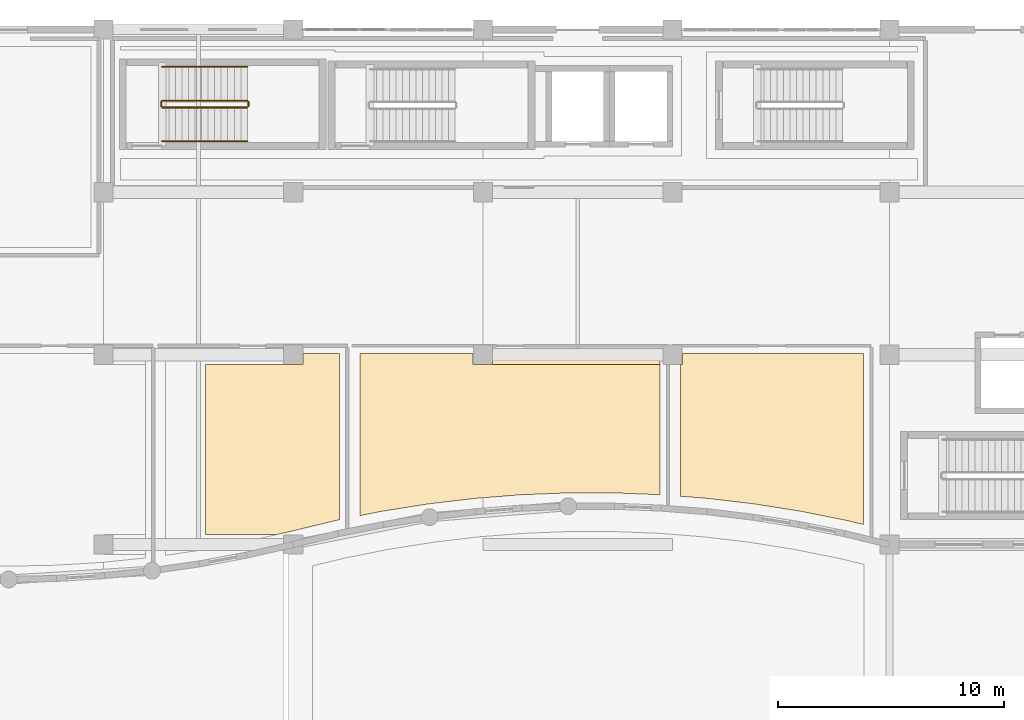
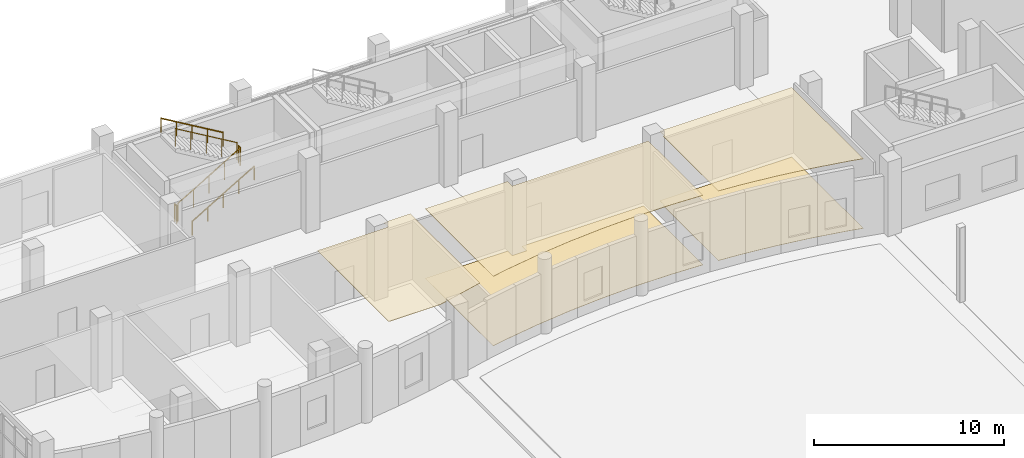
# One storey, part 89 of 97: 6 railings, 5 coverings.
"""IFC4 building model written with IfcOpenShell, lengths in metres."""

from ifc_helpers import new_model, si_unit, direction, frame, origin, origin_2d, place, context, subcontext, project, spatial, polyline, circle, outline, extrude, material, layer, layer_set, type_object, element, save


model = new_model("IFC4")

# Units and contexts
model_context = context("Model", 3, precision=1e-05, world=origin(), true_north=direction((0.0, 1.0)))
body_context = subcontext(model_context, "Body", "Model", "MODEL_VIEW")
ifc_project = project(units=[si_unit("LENGTHUNIT", "METRE"), si_unit("AREAUNIT", "SQUARE_METRE"), si_unit("VOLUMEUNIT", "CUBIC_METRE"), si_unit("PLANEANGLEUNIT", "RADIAN"), si_unit("MASSUNIT", "GRAM", prefix="KILO")], contexts=[model_context])

# Site, building, storey
site_placement = place(None, origin())
site = spatial("IfcSite", under=ifc_project, at=site_placement, CompositionType="ELEMENT")
building_placement = place(site_placement, origin())
building = spatial("IfcBuilding", under=site, at=building_placement, Name="Kisaragi Civic Commons", CompositionType="ELEMENT")
storey_placement = place(building_placement, origin())
storey = spatial("IfcBuildingStorey", under=building, at=storey_placement, Name="L00", CompositionType="ELEMENT", Elevation=0.0)

# Coverings
ifc_material_1 = material(Name="Perforated mineral-fibre & hinoki slat acoustic ceiling")
ifc_layer_1 = layer(ifc_material_1, 0.02490234375, Name="Perforated mineral-fibre & hinoki slat acoustic ceiling")
ifc_layer_set_1 = layer_set([ifc_layer_1], Name="Perforated mineral-fibre & hinoki slat acoustic ceiling")
covering_type_1 = type_object("IfcCoveringType", Name="CLG-02", PredefinedType="CEILING", material=ifc_layer_set_1)
covering_1_placement = place(storey_placement, frame((0.0, 0.0, 4.469970703125)))
element("IfcCovering", 1, at=covering_1_placement, inside=storey, type_object=covering_type_1, Name="Preschool Classroom acoustic ceiling", PredefinedType="CEILING", context=body_context, shape_type="SweptSolid", body=[
    extrude(outline(polyline([(99.07666015625, 97.059814453125), (99.25, 97.094482421875), (99.25, 104.449951171875), (97.6298828125, 104.449951171875), (97.6298828125, 103.969970703125), (97.199951171875, 103.969970703125), (97.199951171875, 103.965087890625), (93.31005859375, 103.965087890625), (93.31005859375, 96.43505859375), (96.454345703125, 96.43505859375), (97.065185546875, 96.574462890625), (99.060791015625, 97.05615234375), (99.07666015625, 97.059814453125)])), origin(), (0.0, 0.0, 1.0), 0.025146484375),
])
covering_2_placement = place(storey_placement, frame((0.0, 0.0, 4.469970703125)))
element("IfcCovering", 2, at=covering_2_placement, inside=storey, type_object=covering_type_1, Name="Community Cafe acoustic ceiling", PredefinedType="CEILING", context=body_context, shape_type="SweptSolid", body=[
    extrude(outline(polyline([(111.4462890625, 98.28271484375), (113.449951171875, 98.20361328125), (113.449951171875, 103.965087890625), (105.60009765625, 103.965087890625), (105.60009765625, 103.969970703125), (105.169921875, 103.969970703125), (105.169921875, 104.449951171875), (100.14990234375, 104.449951171875), (100.14990234375, 97.2744140625), (101.0966796875, 97.4638671875), (101.11279296875, 97.466796875), (103.147216796875, 97.790771484375), (103.163330078125, 97.79296875), (105.208984375, 98.036376953125), (105.22509765625, 98.0380859375), (107.27880859375, 98.200439453125), (107.295166015625, 98.201416015625), (109.353515625, 98.28271484375), (109.369873046875, 98.283203125), (111.43017578125, 98.283203125), (111.4462890625, 98.28271484375)])), origin(), (0.0, 0.0, 1.0), 0.025146484375),
])
covering_3_placement = place(storey_placement, frame((0.0, 0.0, 4.469970703125)))
element("IfcCovering", 3, at=covering_3_placement, inside=storey, type_object=covering_type_1, Name="Community Shop acoustic ceiling", PredefinedType="CEILING", context=body_context, shape_type="SweptSolid", body=[
    extrude(outline(polyline([(121.7392578125, 97.05615234375), (122.449951171875, 96.884521484375), (122.449951171875, 104.449951171875), (114.429931640625, 104.449951171875), (114.429931640625, 103.969970703125), (114.35009765625, 103.969970703125), (114.35009765625, 98.135009765625), (115.57470703125, 98.0380859375), (115.591064453125, 98.036376953125), (117.63671875, 97.79296875), (117.65283203125, 97.790771484375), (119.687255859375, 97.466796875), (119.703369140625, 97.4638671875), (121.723388671875, 97.059814453125), (121.7392578125, 97.05615234375)])), origin(), (0.0, 0.0, 1.0), 0.025146484375),
])
ifc_material_2 = material(Name="Honed Mino ceramic tile & resilience acoustic flooring")
ifc_layer_2 = layer(ifc_material_2, 0.02001953125, Name="Honed Mino ceramic tile & resilience acoustic flooring")
ifc_layer_set_2 = layer_set([ifc_layer_2], Name="Honed Mino ceramic tile & resilience acoustic flooring")
covering_type_2 = type_object("IfcCoveringType", Name="FLR-01", PredefinedType="FLOORING", material=ifc_layer_set_2)
covering_4_placement = place(storey_placement, origin())
element("IfcCovering", 4, at=covering_4_placement, inside=storey, type_object=covering_type_2, Name="Community Cafe floor finish", PredefinedType="FLOORING", context=body_context, shape_type="SweptSolid", body=[
    extrude(outline(polyline([(113.449951171875, 98.20361328125), (113.449951171875, 104.449951171875), (106.030029296875, 104.449951171875), (106.030029296875, 103.969970703125), (105.169921875, 103.969970703125), (105.169921875, 104.449951171875), (100.14990234375, 104.449951171875), (100.14990234375, 97.2744140625), (101.0966796875, 97.4638671875), (101.11279296875, 97.466796875), (103.147216796875, 97.790771484375), (103.163330078125, 97.79296875), (105.208984375, 98.036376953125), (105.22509765625, 98.0380859375), (107.27880859375, 98.200439453125), (107.295166015625, 98.201416015625), (109.353515625, 98.28271484375), (109.369873046875, 98.283203125), (111.43017578125, 98.283203125), (111.4462890625, 98.28271484375), (113.449951171875, 98.20361328125)])), origin(), (0.0, 0.0, 1.0), 0.02001953125),
])
ifc_layer_3 = layer(ifc_material_2, 0.01611328125, Name="Honed Mino ceramic tile & resilience acoustic flooring")
ifc_layer_set_3 = layer_set([ifc_layer_3], Name="Honed Mino ceramic tile & resilience acoustic flooring")
covering_type_3 = type_object("IfcCoveringType", Name="FLR-02", PredefinedType="FLOORING", material=ifc_layer_set_3)
covering_5_placement = place(storey_placement, origin())
element("IfcCovering", 5, at=covering_5_placement, inside=storey, type_object=covering_type_3, Name="Community Shop floor finish", PredefinedType="FLOORING", context=body_context, shape_type="SweptSolid", body=[
    extrude(outline(polyline([(122.449951171875, 96.884521484375), (122.449951171875, 104.449951171875), (114.429931640625, 104.449951171875), (114.429931640625, 103.969970703125), (114.35009765625, 103.969970703125), (114.35009765625, 98.135009765625), (115.57470703125, 98.0380859375), (115.591064453125, 98.036376953125), (117.63671875, 97.79296875), (117.65283203125, 97.790771484375), (119.687255859375, 97.466796875), (119.703369140625, 97.4638671875), (121.723388671875, 97.059814453125), (121.7392578125, 97.05615234375), (122.449951171875, 96.884521484375)])), origin(), (0.0, 0.0, 1.0), 0.01611328125),
])

# Railings
ifc_material_3 = material(Name="Powder-coated architectural steel and hinoki cap rail", Category="steel")
railing_type_1 = type_object("IfcRailingType", Name="GRD-S1", PredefinedType="GUARDRAIL", material=ifc_material_3)
railing_1_placement = place(storey_placement, frame((91.39990234375, 115.35009765625, 0.17138671875)))
element("IfcRailing", 6, at=railing_1_placement, inside=storey, type_object=railing_type_1, Name="L00 ST-L4 stair guard 1", PredefinedType="GUARDRAIL", context=body_context, shape_type="SweptSolid", body=[
    extrude(circle(Radius=0.02392578125, at=origin_2d()), frame((0.0, 0.0, 1.1259765625), z_axis=(0.860848830602, 0.0, 0.508860777473), x_axis=(0.0, 1.0, 0.0)), (0.0, 0.0, 1.0), 4.37939453125),
    extrude(circle(Radius=0.02099609375, at=origin_2d()), origin(), (0.0, 0.0, 1.0), 1.101806640625),
    extrude(circle(Radius=0.02099609375, at=origin_2d()), frame((0.9423828125, 0.0, 0.55712890625)), (0.0, 0.0, 1.0), 1.101806640625),
    extrude(circle(Radius=0.02099609375, at=origin_2d()), frame((1.885009765625, 0.0, 1.1142578125)), (0.0, 0.0, 1.0), 1.101806640625),
    extrude(circle(Radius=0.02099609375, at=origin_2d()), frame((2.82763671875, 0.0, 1.67138671875)), (0.0, 0.0, 1.0), 1.101806640625),
    extrude(circle(Radius=0.02099609375, at=origin_2d()), frame((3.77001953125, 0.0, 2.228515625)), (0.0, 0.0, 1.0), 1.101806640625),
])
railing_2_placement = place(storey_placement, frame((95.219970703125, 115.39990234375, 2.39990234375)))
element("IfcRailing", 7, at=railing_2_placement, inside=storey, type_object=railing_type_1, Name="L00 ST-L4 stair guard 2", PredefinedType="GUARDRAIL", context=body_context, shape_type="SweptSolid", body=[
    extrude(circle(Radius=0.02392578125, at=origin_2d()), frame((0.0, 0.0, 1.1259765625), z_axis=(0.0, 1.0, 0.0), x_axis=(-1.0, 0.0, 0.0)), (0.0, 0.0, 1.0), 0.2001953125),
    extrude(circle(Radius=0.02099609375, at=origin_2d()), origin(), (0.0, 0.0, 1.0), 1.101806640625),
    extrude(circle(Radius=0.02099609375, at=origin_2d()), frame((0.0, 0.2001953125, 0.0)), (0.0, 0.0, 1.0), 1.101806640625),
])
railing_3_placement = place(storey_placement, frame((95.169921875, 115.64990234375, 2.571533203125)))
element("IfcRailing", 8, at=railing_3_placement, inside=storey, type_object=railing_type_1, Name="L00 ST-L4 stair guard 3", PredefinedType="GUARDRAIL", context=body_context, shape_type="SweptSolid", body=[
    extrude(circle(Radius=0.02392578125, at=origin_2d()), frame((0.0, 0.0, 1.1259765625), z_axis=(-0.860848830602, 0.0, 0.508860777473), x_axis=(0.0, -1.0, 0.0)), (0.0, 0.0, 1.0), 4.37939453125),
    extrude(circle(Radius=0.02099609375, at=origin_2d()), origin(), (0.0, 0.0, 1.0), 1.101806640625),
    extrude(circle(Radius=0.02099609375, at=origin_2d()), frame((-0.9423828125, 0.0, 0.55712890625)), (0.0, 0.0, 1.0), 1.101806640625),
    extrude(circle(Radius=0.02099609375, at=origin_2d()), frame((-1.885009765625, 0.0, 1.1142578125)), (0.0, 0.0, 1.0), 1.101806640625),
    extrude(circle(Radius=0.02099609375, at=origin_2d()), frame((-2.82763671875, 0.0, 1.67138671875)), (0.0, 0.0, 1.0), 1.101806640625),
    extrude(circle(Radius=0.02099609375, at=origin_2d()), frame((-3.77001953125, 0.0, 2.228515625)), (0.0, 0.0, 1.0), 1.101806640625),
])
railing_4_placement = place(storey_placement, frame((91.35009765625, 115.39990234375, 0.0)))
element("IfcRailing", 9, at=railing_4_placement, inside=storey, type_object=railing_type_1, Name="L00 ST-L4 stair guard 4", PredefinedType="GUARDRAIL", context=body_context, shape_type="SweptSolid", body=[
    extrude(circle(Radius=0.02392578125, at=origin_2d()), frame((0.0, 0.0, 1.1259765625), z_axis=(0.0, 1.0, 0.0), x_axis=(-1.0, 0.0, 0.0)), (0.0, 0.0, 1.0), 0.2001953125),
    extrude(circle(Radius=0.02099609375, at=origin_2d()), origin(), (0.0, 0.0, 1.0), 1.101806640625),
    extrude(circle(Radius=0.02099609375, at=origin_2d()), frame((0.0, 0.2001953125, 0.0)), (0.0, 0.0, 1.0), 1.101806640625),
])
railing_type_2 = type_object("IfcRailingType", Name="HRL-01", PredefinedType="HANDRAIL", material=ifc_material_3)
railing_5_placement = place(storey_placement, frame((91.39990234375, 113.85009765625, 0.17138671875)))
element("IfcRailing", 10, at=railing_5_placement, inside=storey, type_object=railing_type_2, Name="L00 ST-L4 stair handrail 1", PredefinedType="HANDRAIL", context=body_context, shape_type="SweptSolid", body=[
    extrude(circle(Radius=0.02392578125, at=origin_2d()), frame((0.0, 0.0, 0.8759765625), z_axis=(0.860848830602, 0.0, 0.508860777473), x_axis=(0.0, 1.0, 0.0)), (0.0, 0.0, 1.0), 4.37939453125),
    extrude(circle(Radius=0.02099609375, at=origin_2d()), origin(), (0.0, 0.0, 1.0), 0.851806640625),
    extrude(circle(Radius=0.02099609375, at=origin_2d()), frame((0.9423828125, 0.0, 0.55712890625)), (0.0, 0.0, 1.0), 0.851806640625),
    extrude(circle(Radius=0.02099609375, at=origin_2d()), frame((1.885009765625, 0.0, 1.1142578125)), (0.0, 0.0, 1.0), 0.851806640625),
    extrude(circle(Radius=0.02099609375, at=origin_2d()), frame((2.82763671875, 0.0, 1.67138671875)), (0.0, 0.0, 1.0), 0.851806640625),
    extrude(circle(Radius=0.02099609375, at=origin_2d()), frame((3.77001953125, 0.0, 2.228515625)), (0.0, 0.0, 1.0), 0.851806640625),
])
railing_6_placement = place(storey_placement, frame((95.169921875, 117.14990234375, 2.571533203125)))
element("IfcRailing", 11, at=railing_6_placement, inside=storey, type_object=railing_type_2, Name="L00 ST-L4 stair handrail 2", PredefinedType="HANDRAIL", context=body_context, shape_type="SweptSolid", body=[
    extrude(circle(Radius=0.02392578125, at=origin_2d()), frame((0.0, 0.0, 0.8759765625), z_axis=(-0.860848830602, 0.0, 0.508860777473), x_axis=(0.0, -1.0, 0.0)), (0.0, 0.0, 1.0), 4.37939453125),
    extrude(circle(Radius=0.02099609375, at=origin_2d()), origin(), (0.0, 0.0, 1.0), 0.851806640625),
    extrude(circle(Radius=0.02099609375, at=origin_2d()), frame((-0.9423828125, 0.0, 0.55712890625)), (0.0, 0.0, 1.0), 0.851806640625),
    extrude(circle(Radius=0.02099609375, at=origin_2d()), frame((-1.885009765625, 0.0, 1.1142578125)), (0.0, 0.0, 1.0), 0.851806640625),
    extrude(circle(Radius=0.02099609375, at=origin_2d()), frame((-2.82763671875, 0.0, 1.67138671875)), (0.0, 0.0, 1.0), 0.851806640625),
    extrude(circle(Radius=0.02099609375, at=origin_2d()), frame((-3.77001953125, 0.0, 2.228515625)), (0.0, 0.0, 1.0), 0.851806640625),
])

save(model, "model.ifc")
